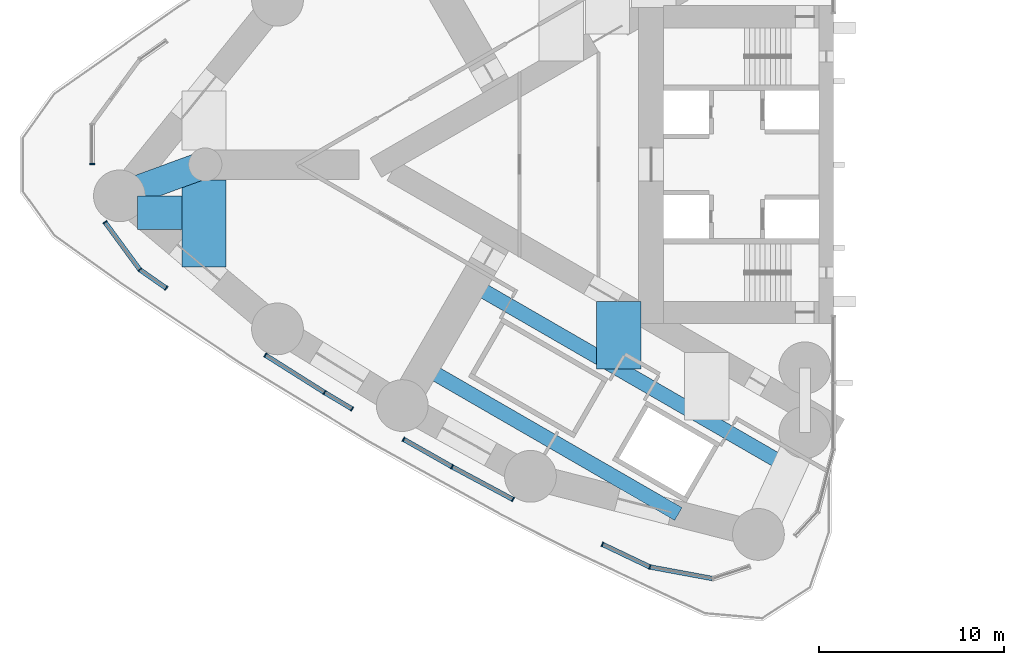
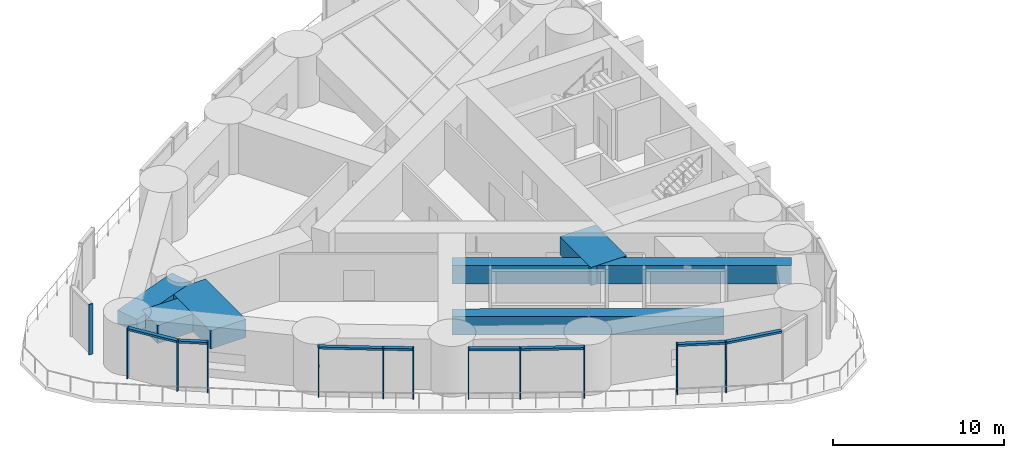
# One storey, part 2 of 17: 20 members, 6 beams, 5 elements without a shape of their own.
"""IFC4 building model written with IfcOpenShell, lengths in metres."""

from ifc_helpers import new_model, si_unit, direction, frame, origin, origin_2d, place, context, subcontext, project, spatial, rectangle, hollow_rectangle, extrude, material, material_profile, profile_set, type_object, element, aggregate, save


model = new_model("IFC4")

# Units and contexts
model_context = context("Model", 3, precision=1e-05, world=origin(), true_north=direction((0.0, 1.0)))
body_context = subcontext(model_context, "Body", "Model", "MODEL_VIEW")
ifc_project = project(units=[si_unit("LENGTHUNIT", "METRE"), si_unit("AREAUNIT", "SQUARE_METRE"), si_unit("VOLUMEUNIT", "CUBIC_METRE"), si_unit("PLANEANGLEUNIT", "RADIAN"), si_unit("MASSUNIT", "GRAM", prefix="KILO")], contexts=[model_context])

# Site, building, storey
site_placement = place(None, origin())
site = spatial("IfcSite", under=ifc_project, at=site_placement, CompositionType="ELEMENT")
building_placement = place(site_placement, origin())
building = spatial("IfcBuilding", under=site, at=building_placement, Name="Lancet Gate Hotel", CompositionType="ELEMENT")
storey_placement = place(building_placement, frame((0.0, 0.0, 152.699951171875)))
storey = spatial("IfcBuildingStorey", under=building, at=storey_placement, Name="L40", CompositionType="ELEMENT", Elevation=152.699951171875)

# Curtain wall, member
ifc_material_1 = material(Name="Aluminium curtain wall", Category="aluminium")
curtain_wall_type = type_object("IfcCurtainWallType", Name="Tower unitised curtain wall", PredefinedType="USERDEFINED", material=ifc_material_1)
curtain_wall_1_placement = place(storey_placement, origin())
curtain_wall_1 = element("IfcCurtainWall", 1, at=curtain_wall_1_placement, inside=storey, type_object=curtain_wall_type, Name="T1 L40 curtain wall 6", ObjectType="UNITISED CURTAIN WALL", PredefinedType="USERDEFINED")
ifc_material_2 = material(Name="Aluminium mullion", Category="aluminium")
ifc_material_profile_1 = material_profile(ifc_material_2, rectangle(XDim=0.06494140625, YDim=0.25, at=origin_2d()), Name="MULLION 65x250")
ifc_profile_set_1 = profile_set([ifc_material_profile_1], Name="Aluminium mullion")
member_type_1 = type_object("IfcMemberType", Name="Aluminium mullion 65x250", PredefinedType="MULLION", material=ifc_profile_set_1)
member_1_placement = place(storey_placement, frame((-67.61572265625, 0.02685546875, 0.0), z_axis=(0.0, 0.0, 1.0), x_axis=(0.0, -1.0, 0.0)))
member_1 = element("IfcMember", 2, at=member_1_placement, type_object=member_type_1, Name="T1 L40 curtain wall 6 mullion 2", PredefinedType="MULLION", context=body_context, shape_type="SweptSolid", body=[
    extrude(rectangle(XDim=0.06494140625, YDim=0.25, at=origin_2d()), origin(), (0.0, 0.0, 1.0), 3.60009765625),
])
aggregate(curtain_wall_1, [member_1])

# Curtain wall, members
curtain_wall_2_placement = place(storey_placement, origin())
curtain_wall_2 = element("IfcCurtainWall", 3, at=curtain_wall_2_placement, inside=storey, type_object=curtain_wall_type, Name="T1 L40 curtain wall 7", ObjectType="UNITISED CURTAIN WALL", PredefinedType="USERDEFINED")
member_2_placement = place(storey_placement, frame((-66.922607421875, -3.122802734375, 0.0), z_axis=(0.0, 0.0, 1.0), x_axis=(0.591299785592, -0.806451835858, 0.0)))
member_2 = element("IfcMember", 4, at=member_2_placement, type_object=member_type_1, Name="T1 L40 curtain wall 7 mullion 1", PredefinedType="MULLION", context=body_context, shape_type="SweptSolid", body=[
    extrude(rectangle(XDim=0.06494140625, YDim=0.25, at=origin_2d()), origin(), (0.0, 0.0, 1.0), 3.60009765625),
])
member_3_placement = place(storey_placement, frame((-65.040283203125, -5.68994140625, 0.0), z_axis=(0.0, 0.0, 1.0), x_axis=(0.680441691528, -0.732802227365, 0.0)))
member_3 = element("IfcMember", 5, at=member_3_placement, type_object=member_type_1, Name="T1 L40 curtain wall 7 mullion 2", PredefinedType="MULLION", context=body_context, shape_type="SweptSolid", body=[
    extrude(rectangle(XDim=0.06494140625, YDim=0.25, at=origin_2d()), origin(), (0.0, 0.0, 1.0), 3.60009765625),
])
member_4_placement = place(storey_placement, frame((-63.61181640625, -6.6884765625, 0.0), z_axis=(0.0, 0.0, 1.0), x_axis=(0.819630778943, -0.572892124409, 0.0)))
member_4 = element("IfcMember", 6, at=member_4_placement, type_object=member_type_1, Name="T1 L40 curtain wall 7 mullion 3", PredefinedType="MULLION", context=body_context, shape_type="SweptSolid", body=[
    extrude(rectangle(XDim=0.06494140625, YDim=0.25, at=origin_2d()), origin(), (0.0, 0.0, 1.0), 3.60009765625),
])

curtain_wall_3_placement = place(storey_placement, origin())
curtain_wall_3 = element("IfcCurtainWall", 7, at=curtain_wall_3_placement, inside=storey, type_object=curtain_wall_type, Name="T1 L40 curtain wall 8", ObjectType="UNITISED CURTAIN WALL", PredefinedType="USERDEFINED")
member_5_placement = place(storey_placement, frame((-58.2451171875, -10.31201171875, 0.0), z_axis=(0.0, 0.0, 1.0), x_axis=(0.845666871497, -0.533711103925, 0.0)))
member_5 = element("IfcMember", 8, at=member_5_placement, type_object=member_type_1, Name="T1 L40 curtain wall 8 mullion 1", PredefinedType="MULLION", context=body_context, shape_type="SweptSolid", body=[
    extrude(rectangle(XDim=0.06494140625, YDim=0.25, at=origin_2d()), origin(), (0.0, 0.0, 1.0), 3.60009765625),
])
member_6_placement = place(storey_placement, frame((-55.05029296875, -12.328369140625, 0.0), z_axis=(0.0, 0.0, 1.0), x_axis=(0.849606396303, -0.527417264945, 0.0)))
member_6 = element("IfcMember", 9, at=member_6_placement, type_object=member_type_1, Name="T1 L40 curtain wall 8 mullion 2", PredefinedType="MULLION", context=body_context, shape_type="SweptSolid", body=[
    extrude(rectangle(XDim=0.06494140625, YDim=0.25, at=origin_2d()), origin(), (0.0, 0.0, 1.0), 3.60009765625),
])
member_7_placement = place(storey_placement, frame((-53.555419921875, -13.223388671875, 0.0), z_axis=(0.0, 0.0, 1.0), x_axis=(0.857986551132, -0.51367215038, 0.0)))
member_7 = element("IfcMember", 10, at=member_7_placement, type_object=member_type_1, Name="T1 L40 curtain wall 8 mullion 3", PredefinedType="MULLION", context=body_context, shape_type="SweptSolid", body=[
    extrude(rectangle(XDim=0.06494140625, YDim=0.25, at=origin_2d()), origin(), (0.0, 0.0, 1.0), 3.60009765625),
])

curtain_wall_4_placement = place(storey_placement, origin())
curtain_wall_4 = element("IfcCurtainWall", 11, at=curtain_wall_4_placement, inside=storey, type_object=curtain_wall_type, Name="T1 L40 curtain wall 9", ObjectType="UNITISED CURTAIN WALL", PredefinedType="USERDEFINED")
member_8_placement = place(storey_placement, frame((-50.76416015625, -14.867431640625, 0.0), z_axis=(0.0, 0.0, 1.0), x_axis=(0.869831477496, -0.493348964484, 0.0)))
member_8 = element("IfcMember", 12, at=member_8_placement, type_object=member_type_1, Name="T1 L40 curtain wall 9 mullion 1", PredefinedType="MULLION", context=body_context, shape_type="SweptSolid", body=[
    extrude(rectangle(XDim=0.06494140625, YDim=0.25, at=origin_2d()), origin(), (0.0, 0.0, 1.0), 3.60009765625),
])
member_9_placement = place(storey_placement, frame((-48.140869140625, -16.355224609375, 0.0), z_axis=(0.0, 0.0, 1.0), x_axis=(0.87617871253, -0.481986372949, 0.0)))
member_9 = element("IfcMember", 13, at=member_9_placement, type_object=member_type_1, Name="T1 L40 curtain wall 9 mullion 2", PredefinedType="MULLION", context=body_context, shape_type="SweptSolid", body=[
    extrude(rectangle(XDim=0.06494140625, YDim=0.25, at=origin_2d()), origin(), (0.0, 0.0, 1.0), 3.60009765625),
])
member_10_placement = place(storey_placement, frame((-44.849609375, -18.12109375, 0.0), z_axis=(0.0, 0.0, 1.0), x_axis=(0.881195096384, -0.472752791751, 0.0)))
member_10 = element("IfcMember", 14, at=member_10_placement, type_object=member_type_1, Name="T1 L40 curtain wall 9 mullion 3", PredefinedType="MULLION", context=body_context, shape_type="SweptSolid", body=[
    extrude(rectangle(XDim=0.06494140625, YDim=0.25, at=origin_2d()), origin(), (0.0, 0.0, 1.0), 3.60009765625),
])

curtain_wall_5_placement = place(storey_placement, origin())
curtain_wall_5 = element("IfcCurtainWall", 15, at=curtain_wall_5_placement, inside=storey, type_object=curtain_wall_type, Name="T1 L40 curtain wall 10", ObjectType="UNITISED CURTAIN WALL", PredefinedType="USERDEFINED")
member_11_placement = place(storey_placement, frame((-40.00634765625, -20.551025390625, 0.0), z_axis=(0.0, 0.0, 1.0), x_axis=(0.902453530018, -0.430787216799, 0.0)))
member_11 = element("IfcMember", 16, at=member_11_placement, type_object=member_type_1, Name="T1 L40 curtain wall 10 mullion 1", PredefinedType="MULLION", context=body_context, shape_type="SweptSolid", body=[
    extrude(rectangle(XDim=0.06494140625, YDim=0.25, at=origin_2d()), origin(), (0.0, 0.0, 1.0), 3.60009765625),
])
member_12_placement = place(storey_placement, frame((-37.44091796875, -21.775634765625, 0.0), z_axis=(0.0, 0.0, 1.0), x_axis=(0.955017768049, -0.296548584064, 0.0)))
member_12 = element("IfcMember", 17, at=member_12_placement, type_object=member_type_1, Name="T1 L40 curtain wall 10 mullion 2", PredefinedType="MULLION", context=body_context, shape_type="SweptSolid", body=[
    extrude(rectangle(XDim=0.06494140625, YDim=0.25, at=origin_2d()), origin(), (0.0, 0.0, 1.0), 3.60009765625),
])

# Member
ifc_material_3 = material(Name="Aluminium transom", Category="aluminium")
ifc_material_profile_2 = material_profile(ifc_material_3, rectangle(XDim=0.25, YDim=0.14990234375, at=origin_2d()), Name="TRANSOM 250x150")
ifc_profile_set_2 = profile_set([ifc_material_profile_2], Name="Aluminium transom")
member_type_2 = type_object("IfcMemberType", Name="Aluminium transom 250x150", PredefinedType="USERDEFINED", material=ifc_profile_set_2)
member_13_placement = place(storey_placement, frame((-66.9033203125, -3.149169921875, 3.525146484375), z_axis=(0.59133311203, -0.80642739947, 0.0), x_axis=(0.80642739947, 0.59133311203, 0.0)))
member_13 = element("IfcMember", 18, at=member_13_placement, type_object=member_type_2, Name="T1 L40 curtain wall 7 transom 1", ObjectType="TRANSOM", PredefinedType="USERDEFINED", context=body_context, shape_type="SweptSolid", body=[
    extrude(rectangle(XDim=0.25, YDim=0.14990234375, at=origin_2d()), origin(), (0.0, 0.0, 1.0), 3.117919921875),
])

member_14_placement = place(storey_placement, frame((-65.013671875, -5.70849609375, 3.525146484375), z_axis=(0.819648697745, -0.572866487311, 0.0), x_axis=(0.572866487311, 0.819648697745, 0.0)))
member_14 = element("IfcMember", 19, at=member_14_placement, type_object=member_type_2, Name="T1 L40 curtain wall 7 transom 2", ObjectType="TRANSOM", PredefinedType="USERDEFINED", context=body_context, shape_type="SweptSolid", body=[
    extrude(rectangle(XDim=0.25, YDim=0.14990234375, at=origin_2d()), origin(), (0.0, 0.0, 1.0), 1.677734375),
])

aggregate(curtain_wall_2, [member_2, member_3, member_4, member_13, member_14])

member_15_placement = place(storey_placement, frame((-58.2177734375, -10.329345703125, 3.525146484375), z_axis=(0.845659168791, -0.533723308691, 0.0), x_axis=(0.533723308691, 0.845659168791, 0.0)))
member_15 = element("IfcMember", 20, at=member_15_placement, type_object=member_type_2, Name="T1 L40 curtain wall 8 transom 1", ObjectType="TRANSOM", PredefinedType="USERDEFINED", context=body_context, shape_type="SweptSolid", body=[
    extrude(rectangle(XDim=0.25, YDim=0.14990234375, at=origin_2d()), origin(), (0.0, 0.0, 1.0), 3.712890625),
])

member_16_placement = place(storey_placement, frame((-55.0224609375, -12.344970703125, 3.525146484375), z_axis=(0.857942051771, -0.513746470356, 0.0), x_axis=(0.513746470356, 0.857942051771, 0.0)))
member_16 = element("IfcMember", 21, at=member_16_placement, type_object=member_type_2, Name="T1 L40 curtain wall 8 transom 2", ObjectType="TRANSOM", PredefinedType="USERDEFINED", context=body_context, shape_type="SweptSolid", body=[
    extrude(rectangle(XDim=0.25, YDim=0.14990234375, at=origin_2d()), origin(), (0.0, 0.0, 1.0), 1.677490234375),
])

aggregate(curtain_wall_3, [member_5, member_6, member_7, member_15, member_16])

member_17_placement = place(storey_placement, frame((-50.73583984375, -14.883544921875, 3.525146484375), z_axis=(0.869822193696, -0.493365332542, 0.0), x_axis=(0.493365332542, 0.869822193696, 0.0)))
member_17 = element("IfcMember", 22, at=member_17_placement, type_object=member_type_2, Name="T1 L40 curtain wall 9 transom 1", ObjectType="TRANSOM", PredefinedType="USERDEFINED", context=body_context, shape_type="SweptSolid", body=[
    extrude(rectangle(XDim=0.25, YDim=0.14990234375, at=origin_2d()), origin(), (0.0, 0.0, 1.0), 2.95068359375),
])

member_18_placement = place(storey_placement, frame((-48.1123046875, -16.37060546875, 3.525146484375), z_axis=(0.881177167367, -0.472786209307, 0.0), x_axis=(0.472786209307, 0.881177167367, 0.0)))
member_18 = element("IfcMember", 23, at=member_18_placement, type_object=member_type_2, Name="T1 L40 curtain wall 9 transom 2", ObjectType="TRANSOM", PredefinedType="USERDEFINED", context=body_context, shape_type="SweptSolid", body=[
    extrude(rectangle(XDim=0.25, YDim=0.14990234375, at=origin_2d()), origin(), (0.0, 0.0, 1.0), 3.669921875),
])

aggregate(curtain_wall_4, [member_8, member_9, member_10, member_17, member_18])

member_19_placement = place(storey_placement, frame((-39.976806640625, -20.56494140625, 3.525146484375), z_axis=(0.902452303334, -0.430789786563, 0.0), x_axis=(0.430789786563, 0.902452303334, 0.0)))
member_19 = element("IfcMember", 24, at=member_19_placement, type_object=member_type_2, Name="T1 L40 curtain wall 10 transom 1", ObjectType="TRANSOM", PredefinedType="USERDEFINED", context=body_context, shape_type="SweptSolid", body=[
    extrude(rectangle(XDim=0.25, YDim=0.14990234375, at=origin_2d()), origin(), (0.0, 0.0, 1.0), 2.777587890625),
])

member_20_placement = place(storey_placement, frame((-37.408935546875, -21.781494140625, 3.525146484375), z_axis=(0.983286757871, -0.182063592724, 0.0), x_axis=(0.182063592724, 0.983286757871, 0.0)))
member_20 = element("IfcMember", 25, at=member_20_placement, type_object=member_type_2, Name="T1 L40 curtain wall 10 transom 2", ObjectType="TRANSOM", PredefinedType="USERDEFINED", context=body_context, shape_type="SweptSolid", body=[
    extrude(rectangle(XDim=0.25, YDim=0.14990234375, at=origin_2d()), origin(), (0.0, 0.0, 1.0), 3.406005859375),
])

aggregate(curtain_wall_5, [member_11, member_12, member_19, member_20])

# Beams
ifc_material_4 = material(Name="Concrete C50/60", Category="concrete")
ifc_material_profile_3 = material_profile(ifc_material_4, rectangle(XDim=2.39990234375, YDim=1.300048828125, at=origin_2d()), Name="RC 2400x1300")
ifc_profile_set_3 = profile_set([ifc_material_profile_3], Name="Concrete C50/60")
beam_type_1 = type_object("IfcBeamType", Name="Floor beam RC 2400x1300", PredefinedType="BEAM", material=ifc_profile_set_3)
beam_1_placement = place(storey_placement, frame((-61.568359375, -0.823486328125, 2.699951171875), z_axis=(0.0, -1.0, 0.0), x_axis=(1.0, 0.0, 0.0)))
element("IfcBeam", 26, at=beam_1_placement, inside=storey, type_object=beam_type_1, Name="T1 floor beam F09N L40", PredefinedType="BEAM", context=body_context, shape_type="SweptSolid", body=[
    extrude(rectangle(XDim=2.39990234375, YDim=1.300048828125, at=origin_2d()), origin(), (0.0, 0.0, 1.0), 4.721435546875),
])
beam_2_placement = place(storey_placement, frame((-63.96826171875, -1.699951171875, 2.699951171875), z_axis=(0.0, -1.0, 0.0), x_axis=(1.0, 0.0, 0.0)))
element("IfcBeam", 27, at=beam_2_placement, inside=storey, type_object=beam_type_1, Name="T1 floor beam F10N L40", PredefinedType="BEAM", context=body_context, shape_type="SweptSolid", body=[
    extrude(rectangle(XDim=2.39990234375, YDim=1.300048828125, at=origin_2d()), origin(), (0.0, 0.0, 1.0), 1.8251953125),
])
beam_3_placement = place(storey_placement, frame((-39.122314453125, -7.41650390625, 2.699951171875), z_axis=(0.0, -1.0, 0.0), x_axis=(1.0, 0.0, 0.0)))
element("IfcBeam", 28, at=beam_3_placement, inside=storey, type_object=beam_type_1, Name="T1 floor beam F05NA L40", PredefinedType="BEAM", context=body_context, shape_type="SweptSolid", body=[
    extrude(rectangle(XDim=2.39990234375, YDim=1.300048828125, at=origin_2d()), origin(), (0.0, 0.0, 1.0), 3.6455078125),
])
ifc_material_5 = material(Name="Concrete C50/60", Category="concrete")
ifc_material_profile_4 = material_profile(ifc_material_5, rectangle(XDim=1.5, YDim=0.949951171875, at=origin_2d()), Name="RC 1500x950")
ifc_profile_set_4 = profile_set([ifc_material_profile_4], Name="Concrete C50/60")
beam_type_2 = type_object("IfcBeamType", Name="Radial floor beam RC 1500x950", PredefinedType="BEAM", material=ifc_profile_set_4)
beam_4_placement = place(storey_placement, frame((-66.142578125, -1.6953125, 2.875), z_axis=(0.939331048204, 0.343011926732, 0.0), x_axis=(-0.343011926732, 0.939331048204, 0.0)))
element("IfcBeam", 29, at=beam_4_placement, inside=storey, type_object=beam_type_2, Name="T1 radial beam CA L40", PredefinedType="BEAM", context=body_context, shape_type="SweptSolid", body=[
    extrude(rectangle(XDim=1.5, YDim=0.949951171875, at=origin_2d()), origin(), (0.0, 0.0, 1.0), 4.9423828125),
])
ifc_material_6 = material(Name="Steel S460QL", Category="steel")
ifc_material_profile_5 = material_profile(ifc_material_6, hollow_rectangle(XDim=0.800048828125, YDim=1.300048828125, WallThickness=0.080078125, at=origin_2d()), Name="BOX 1300x800x80")
ifc_profile_set_5 = profile_set([ifc_material_profile_5], Name="Steel S460QL")
beam_type_3 = type_object("IfcBeamType", Name="Trimmer beam BOX 1300x800x80", PredefinedType="BEAM", material=ifc_profile_set_5)
beam_5_placement = place(storey_placement, frame((-29.908203125, -16.3818359375, 2.699951171875), z_axis=(-0.866045112143, 0.499965862567, 0.0), x_axis=(-0.499965862567, -0.866045112143, 0.0)))
element("IfcBeam", 30, at=beam_5_placement, inside=storey, type_object=beam_type_3, Name="T1 trimmer beam TR01N L40", PredefinedType="BEAM", context=body_context, shape_type="SweptSolid", body=[
    extrude(hollow_rectangle(XDim=0.800048828125, YDim=1.300048828125, WallThickness=0.080078125, at=origin_2d()), origin(), (0.0, 0.0, 1.0), 19.7958984375),
])
beam_6_placement = place(storey_placement, frame((-35.89697265625, -18.91162109375, 2.699951171875), z_axis=(-0.866046520682, 0.499963422676, 0.0), x_axis=(-0.499963422676, -0.866046520682, 0.0)))
element("IfcBeam", 31, at=beam_6_placement, inside=storey, type_object=beam_type_3, Name="T1 trimmer beam TR02N L40", PredefinedType="BEAM", context=body_context, shape_type="SweptSolid", body=[
    extrude(hollow_rectangle(XDim=0.800048828125, YDim=1.300048828125, WallThickness=0.080078125, at=origin_2d()), origin(), (0.0, 0.0, 1.0), 15.874267578125),
])

save(model, "model.ifc")
